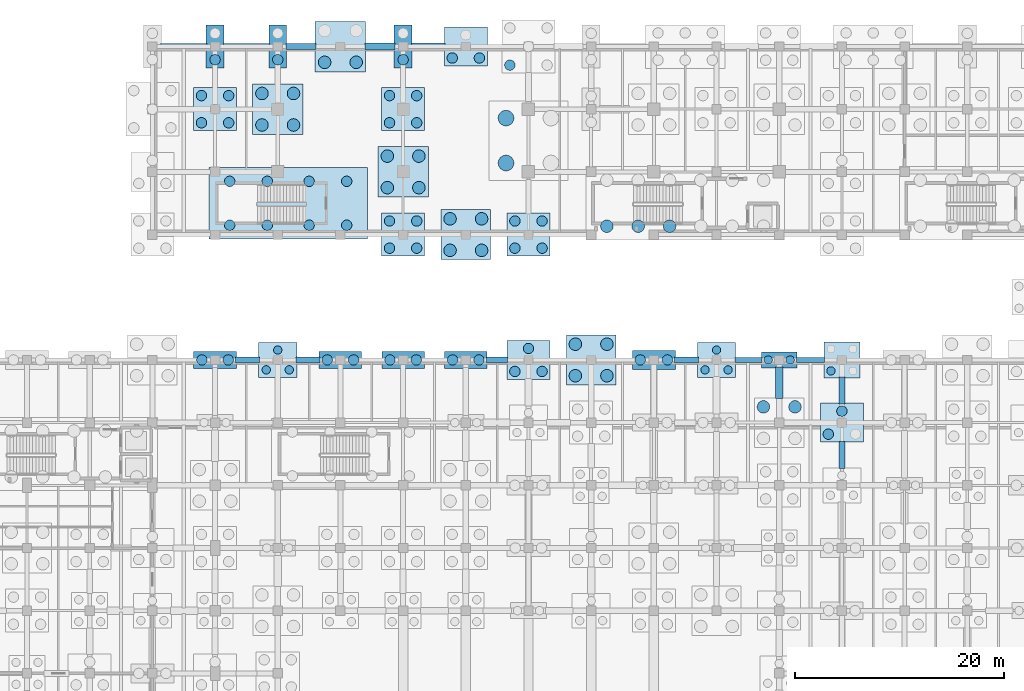
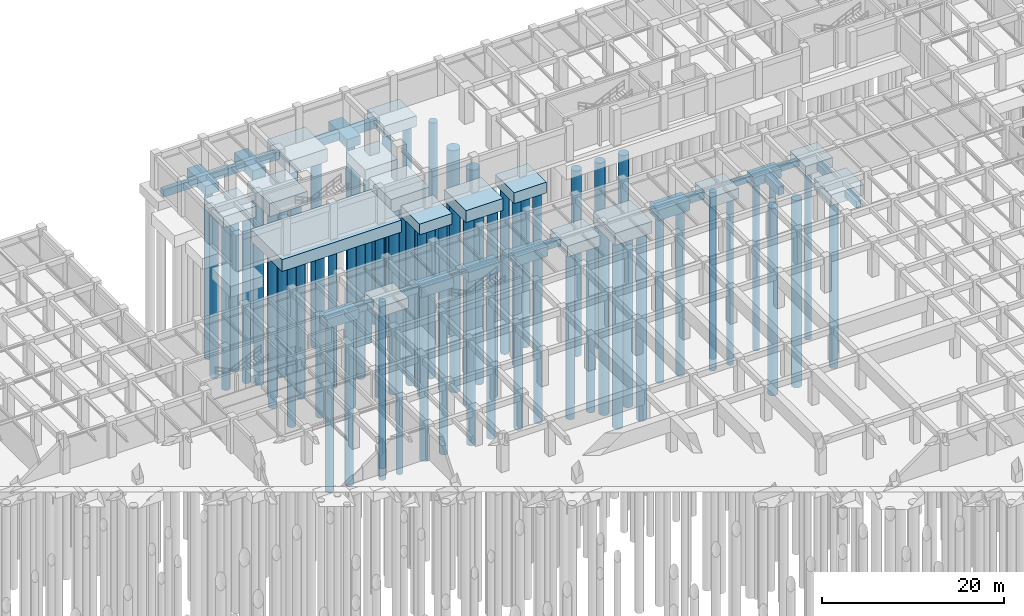
# One storey, part 15 of 54: 79 piles, 39 footings.
"""IFC4 building model written with IfcOpenShell, lengths in metres."""

from ifc_helpers import new_model, si_unit, direction, frame, origin, origin_2d, place, context, subcontext, project, spatial, rectangle, circle, extrude, material, material_profile, profile_set, type_object, element, save


model = new_model("IFC4")

# Units and contexts
model_context = context("Model", 3, precision=1e-05, world=origin(), true_north=direction((0.0, 1.0)))
body_context = subcontext(model_context, "Body", "Model", "MODEL_VIEW")
ifc_project = project(units=[si_unit("LENGTHUNIT", "METRE"), si_unit("AREAUNIT", "SQUARE_METRE"), si_unit("VOLUMEUNIT", "CUBIC_METRE"), si_unit("PLANEANGLEUNIT", "RADIAN"), si_unit("MASSUNIT", "GRAM", prefix="KILO"), si_unit("THERMODYNAMICTEMPERATUREUNIT", "KELVIN"), si_unit("POWERUNIT", "WATT")], contexts=[model_context])

# Site, building, storey
site_placement = place(None, origin())
site = spatial("IfcSite", under=ifc_project, at=site_placement, CompositionType="ELEMENT")
building_placement = place(site_placement, origin())
building = spatial("IfcBuilding", under=site, at=building_placement, Name="Phaisarnlok Congress Hotel", CompositionType="ELEMENT")
storey_placement = place(building_placement, frame((0.0, 0.0, -4.800048828125)))
storey = spatial("IfcBuildingStorey", under=building, at=storey_placement, Name="B01", CompositionType="ELEMENT", Elevation=-4.800048828125)

# Footings
ifc_material_1 = material(Name="Concrete C40/50", Category="concrete")
footing_type_1 = type_object("IfcFootingType", Name="CAP-2P-A", PredefinedType="PILE_CAP", material=ifc_material_1)
footing_1_placement = place(storey_placement, frame((120.0, 96.0, -1.69970703125), z_axis=(0.0, 0.0, 1.0), x_axis=(1.0, 0.0, 0.0)))
element("IfcFooting", 1, at=footing_1_placement, inside=storey, type_object=footing_type_1, Name="Pile cap PC-01 at (120,96)", PredefinedType="PILE_CAP", context=body_context, shape_type="SweptSolid", body=[
    extrude(rectangle(XDim=3.43994140625, YDim=1.5400390625, at=origin_2d()), origin(), (0.0, 0.0, 1.0), 1.199951171875),
])
footing_type_2 = type_object("IfcFootingType", Name="CAP-2P-B", PredefinedType="PILE_CAP", material=ifc_material_1)
for number, where, z_axis, x_axis, name in (
    (2, (66.0, 96.0, -1.7998046875), (0.0, 0.0, 1.0), (1.0, 0.0, 0.0), "Pile cap PC-02 at (66,96)"),
    (3, (78.0, 96.0, -1.7998046875), (0.0, 0.0, 1.0), (1.0, 0.0, 0.0), "Pile cap PC-02 at (78,96)"),
    (4, (84.0, 96.0, -1.7998046875), (0.0, 0.0, 1.0), (1.0, 0.0, 0.0), "Pile cap PC-02 at (84,96)"),
    (5, (90.0, 96.0, -1.7998046875), (0.0, 0.0, 1.0), (1.0, 0.0, 0.0), "Pile cap PC-02 at (90,96)"),
):
    element("IfcFooting", number, at=place(storey_placement, frame(where, z_axis=z_axis, x_axis=x_axis)), inside=storey, type_object=footing_type_2, Name=name, PredefinedType="PILE_CAP", context=body_context, shape_type="SweptSolid", body=[
        extrude(rectangle(XDim=4.080078125, YDim=1.639892578125, at=origin_2d()), origin(), (0.0, 0.0, 1.0), 1.300048828125),
    ])
footing_type_3 = type_object("IfcFootingType", Name="CAP-2P-C", PredefinedType="PILE_CAP", material=ifc_material_1)
footing_2_placement = place(storey_placement, frame((108.0, 96.0, -1.89990234375), z_axis=(0.0, 0.0, 1.0), x_axis=(1.0, 0.0, 0.0)))
element("IfcFooting", 6, at=footing_2_placement, inside=storey, type_object=footing_type_3, Name="Pile cap PC-03 at (108,96)", PredefinedType="PILE_CAP", context=body_context, shape_type="SweptSolid", body=[
    extrude(rectangle(XDim=4.1201171875, YDim=1.840087890625, at=origin_2d()), origin(), (0.0, 0.0, 1.0), 1.39990234375),
])
footing_type_4 = type_object("IfcFootingType", Name="CAP-2P-D", PredefinedType="PILE_CAP", material=ifc_material_1)
for number, where, z_axis, x_axis, name in (
    (7, (66.0, 126.0, -1.75), (0.0, 0.0, 1.0), (1.0, 0.0, 0.0), "Pile cap PC-14 at (66,126)"),
    (8, (72.0, 126.0, -1.75), (0.0, 0.0, 1.0), (1.0, 0.0, 0.0), "Pile cap PC-14 at (72,126)"),
    (9, (84.0, 126.0, -1.75), (0.0, 0.0, 1.0), (1.0, 0.0, 0.0), "Pile cap PC-14 at (84,126)"),
):
    element("IfcFooting", number, at=place(storey_placement, frame(where, z_axis=z_axis, x_axis=x_axis)), inside=storey, type_object=footing_type_4, Name=name, PredefinedType="PILE_CAP", context=body_context, shape_type="SweptSolid", body=[
        extrude(rectangle(XDim=1.719970703125, YDim=4.080078125, at=origin_2d()), origin(), (0.0, 0.0, 1.0), 1.25),
    ])
footing_type_5 = type_object("IfcFootingType", Name="CAP-3P-A", PredefinedType="PILE_CAP", material=ifc_material_1)
for number, where, z_axis, x_axis, name in (
    (10, (72.0, 96.0, -1.85009765625), (0.0, 0.0, 1.0), (1.0, 0.0, 0.0), "Pile cap PC-04 at (72,96)"),
    (11, (114.0, 96.0, -1.85009765625), (0.0, 0.0, 1.0), (1.0, 0.0, 0.0), "Pile cap PC-04 at (114,96)"),
):
    element("IfcFooting", number, at=place(storey_placement, frame(where, z_axis=z_axis, x_axis=x_axis)), inside=storey, type_object=footing_type_5, Name=name, PredefinedType="PILE_CAP", context=body_context, shape_type="SweptSolid", body=[
        extrude(rectangle(XDim=3.639892578125, YDim=3.340087890625, at=origin_2d()), origin(), (0.0, 0.0, 1.0), 1.35009765625),
    ])
footing_type_6 = type_object("IfcFootingType", Name="CAP-3P-B", PredefinedType="PILE_CAP", material=ifc_material_1)
for number, where, z_axis, x_axis, name in (
    (12, (90.0, 126.0, -1.94970703125), (0.0, 0.0, 1.0), (1.0, 0.0, 0.0), "Pile cap PC-05 at (90,126)"),
    (13, (96.0, 96.0, -1.94970703125), (0.0, 0.0, 1.0), (1.0, 0.0, 0.0), "Pile cap PC-05 at (96,96)"),
    (14, (126.0, 90.0, -1.94970703125), (0.0, 0.0, 1.0), (1.0, 0.0, 0.0), "Pile cap PC-05 at (126,90)"),
):
    element("IfcFooting", number, at=place(storey_placement, frame(where, z_axis=z_axis, x_axis=x_axis)), inside=storey, type_object=footing_type_6, Name=name, PredefinedType="PILE_CAP", context=body_context, shape_type="SweptSolid", body=[
        extrude(rectangle(XDim=4.1201171875, YDim=3.739990234375, at=origin_2d()), origin(), (0.0, 0.0, 1.0), 1.449951171875),
    ])
footing_type_7 = type_object("IfcFootingType", Name="CAP-4P-A", PredefinedType="PILE_CAP", material=ifc_material_1)
footing_3_placement = place(storey_placement, frame((126.0, 96.0, -1.7998046875), z_axis=(0.0, 0.0, 1.0), x_axis=(1.0, 0.0, 0.0)))
element("IfcFooting", 15, at=footing_3_placement, inside=storey, type_object=footing_type_7, Name="Pile cap PC-06 at (126,96)", PredefinedType="PILE_CAP", context=body_context, shape_type="SweptSolid", body=[
    extrude(rectangle(XDim=3.43994140625, YDim=3.43994140625, at=origin_2d()), origin(), (0.0, 0.0, 1.0), 1.300048828125),
])
footing_type_8 = type_object("IfcFootingType", Name="CAP-4P-B", PredefinedType="PILE_CAP", material=ifc_material_1)
for number, where, z_axis, x_axis, name in (
    (16, (66.0, 120.0, -1.94970703125), (0.0, 0.0, 1.0), (1.0, 0.0, 0.0), "Pile cap PC-07 at (66,120)"),
    (17, (84.0, 108.0, -1.94970703125), (0.0, 0.0, 1.0), (1.0, 0.0, 0.0), "Pile cap PC-07 at (84,108)"),
    (18, (84.0, 120.0, -1.94970703125), (0.0, 0.0, 1.0), (1.0, 0.0, 0.0), "Pile cap PC-07 at (84,120)"),
    (19, (96.0, 108.0, -1.94970703125), (0.0, 0.0, 1.0), (1.0, 0.0, 0.0), "Pile cap PC-07 at (96,108)"),
):
    element("IfcFooting", number, at=place(storey_placement, frame(where, z_axis=z_axis, x_axis=x_axis)), inside=storey, type_object=footing_type_8, Name=name, PredefinedType="PILE_CAP", context=body_context, shape_type="SweptSolid", body=[
        extrude(rectangle(XDim=4.1201171875, YDim=4.1201171875, at=origin_2d()), origin(), (0.0, 0.0, 1.0), 1.449951171875),
    ])
footing_type_9 = type_object("IfcFootingType", Name="CAP-4P-C", PredefinedType="PILE_CAP", material=ifc_material_1)
for number, where, z_axis, x_axis, name in (
    (20, (90.0, 108.0, -2.10009765625), (0.0, 0.0, 1.0), (1.0, 0.0, 0.0), "Pile cap PC-08 at (90,108)"),
    (21, (102.0, 96.0, -2.10009765625), (0.0, 0.0, 1.0), (1.0, 0.0, 0.0), "Pile cap PC-08 at (102,96)"),
):
    element("IfcFooting", number, at=place(storey_placement, frame(where, z_axis=z_axis, x_axis=x_axis)), inside=storey, type_object=footing_type_9, Name=name, PredefinedType="PILE_CAP", context=body_context, shape_type="SweptSolid", body=[
        extrude(rectangle(XDim=4.719970703125, YDim=4.760009765625, at=origin_2d()), origin(), (0.0, 0.0, 1.0), 1.60009765625),
    ])
footing_type_10 = type_object("IfcFootingType", Name="CAP-4P-D", PredefinedType="PILE_CAP", material=ifc_material_1)
for number, where, z_axis, x_axis, name in (
    (22, (72.0, 120.0, -2.25), (0.0, 0.0, 1.0), (1.0, 0.0, 0.0), "Pile cap PC-09 at (72,120)"),
    (23, (78.0, 126.0, -2.25), (0.0, 0.0, 1.0), (1.0, 0.0, 0.0), "Pile cap PC-09 at (78,126)"),
    (24, (84.0, 114.0, -2.25), (0.0, 0.0, 1.0), (1.0, 0.0, 0.0), "Pile cap PC-09 at (84,114)"),
):
    element("IfcFooting", number, at=place(storey_placement, frame(where, z_axis=z_axis, x_axis=x_axis)), inside=storey, type_object=footing_type_10, Name=name, PredefinedType="PILE_CAP", context=body_context, shape_type="SweptSolid", body=[
        extrude(rectangle(XDim=4.840087890625, YDim=4.840087890625, at=origin_2d()), origin(), (0.0, 0.0, 1.0), 1.75),
    ])
footing_type_11 = type_object("IfcFootingType", Name="CAP-STAIR-H", PredefinedType="PILE_CAP", material=ifc_material_1)
footing_4_placement = place(storey_placement, frame((73.0, 111.0, -2.10009765625), z_axis=(0.0, 0.0, 1.0), x_axis=(1.0, 0.0, 0.0)))
element("IfcFooting", 25, at=footing_4_placement, inside=storey, type_object=footing_type_11, Name="Stair core pile cap PC-17 (STAIR-HW)", PredefinedType="PILE_CAP", context=body_context, shape_type="SweptSolid", body=[
    extrude(rectangle(XDim=15.199951171875, YDim=6.800048828125, at=origin_2d()), origin(), (0.0, 0.0, 1.0), 1.60009765625),
])
ifc_material_profile_1 = material_profile(ifc_material_1, rectangle(XDim=0.5, YDim=0.800048828125, at=origin_2d()), Name="FB-500x800")
ifc_profile_set_1 = profile_set([ifc_material_profile_1], Name="Concrete C40/50")
footing_type_12 = type_object("IfcFootingType", Name="FB-500x800", PredefinedType="FOOTING_BEAM", material=ifc_profile_set_1)
footing_5_placement = place(storey_placement, frame((115.7451171875, 96.0, -0.89990234375), z_axis=(1.0, 0.0, 0.0), x_axis=(0.0, 1.0, 0.0)))
element("IfcFooting", 26, at=footing_5_placement, inside=storey, type_object=footing_type_12, Name="Ground tie beam FB-01", PredefinedType="FOOTING_BEAM", context=body_context, shape_type="SweptSolid", body=[
    extrude(rectangle(XDim=0.5, YDim=0.800048828125, at=origin_2d()), origin(), (0.0, 0.0, 1.0), 2.60986328125),
])
footing_6_placement = place(storey_placement, frame((121.64501953125, 96.0, -0.89990234375), z_axis=(1.0, 0.0, 0.0), x_axis=(0.0, 1.0, 0.0)))
element("IfcFooting", 27, at=footing_6_placement, inside=storey, type_object=footing_type_12, Name="Ground tie beam FB-01", PredefinedType="FOOTING_BEAM", context=body_context, shape_type="SweptSolid", body=[
    extrude(rectangle(XDim=0.5, YDim=0.800048828125, at=origin_2d()), origin(), (0.0, 0.0, 1.0), 2.7099609375),
])
ifc_material_profile_2 = material_profile(ifc_material_1, rectangle(XDim=0.60009765625, YDim=1.0, at=origin_2d()), Name="FB-600x1000")
ifc_profile_set_2 = profile_set([ifc_material_profile_2], Name="Concrete C40/50")
footing_type_13 = type_object("IfcFootingType", Name="FB-600x1000", PredefinedType="FOOTING_BEAM", material=ifc_profile_set_2)
for number, where, z_axis, x_axis, name in (
    (28, (60.784912109375, 126.0, -1.0), (1.0, 0.0, 0.0), (0.0, 1.0, 0.0), "Ground tie beam FB-03"),
    (29, (66.784912109375, 126.0, -1.0), (1.0, 0.0, 0.0), (0.0, 1.0, 0.0), "Ground tie beam FB-03"),
):
    element("IfcFooting", number, at=place(storey_placement, frame(where, z_axis=z_axis, x_axis=x_axis)), inside=storey, type_object=footing_type_13, Name=name, PredefinedType="FOOTING_BEAM", context=body_context, shape_type="SweptSolid", body=[
        extrude(rectangle(XDim=0.60009765625, YDim=1.0, at=origin_2d()), origin(), (0.0, 0.0, 1.0), 4.43017578125),
    ])
footing_7_placement = place(storey_placement, frame((72.784912109375, 126.0, -1.0), z_axis=(1.0, 0.0, 0.0), x_axis=(0.0, 1.0, 0.0)))
element("IfcFooting", 30, at=footing_7_placement, inside=storey, type_object=footing_type_13, Name="Ground tie beam FB-03", PredefinedType="FOOTING_BEAM", context=body_context, shape_type="SweptSolid", body=[
    extrude(rectangle(XDim=0.60009765625, YDim=1.0, at=origin_2d()), origin(), (0.0, 0.0, 1.0), 2.8701171875),
])
footing_8_placement = place(storey_placement, frame((109.985107421875, 96.0, -1.0), z_axis=(1.0, 0.0, 0.0), x_axis=(0.0, 1.0, 0.0)))
element("IfcFooting", 31, at=footing_8_placement, inside=storey, type_object=footing_type_13, Name="Ground tie beam FB-03", PredefinedType="FOOTING_BEAM", context=body_context, shape_type="SweptSolid", body=[
    extrude(rectangle(XDim=0.60009765625, YDim=1.0, at=origin_2d()), origin(), (0.0, 0.0, 1.0), 2.269775390625),
])
footing_9_placement = place(storey_placement, frame((126.0, 91.794921875, -1.0), z_axis=(0.0, 1.0, 0.0), x_axis=(-1.0, 0.0, 0.0)))
element("IfcFooting", 32, at=footing_9_placement, inside=storey, type_object=footing_type_13, Name="Ground tie beam FB-03", PredefinedType="FOOTING_BEAM", context=body_context, shape_type="SweptSolid", body=[
    extrude(rectangle(XDim=0.60009765625, YDim=1.0, at=origin_2d()), origin(), (0.0, 0.0, 1.0), 2.56005859375),
])
ifc_material_profile_3 = material_profile(ifc_material_1, rectangle(XDim=0.60009765625, YDim=0.89990234375, at=origin_2d()), Name="FB-600x900")
ifc_profile_set_3 = profile_set([ifc_material_profile_3], Name="Concrete C40/50")
footing_type_14 = type_object("IfcFootingType", Name="FB-600x900", PredefinedType="FOOTING_BEAM", material=ifc_profile_set_3)
for number, where, z_axis, x_axis, name in (
    (33, (67.965087890625, 96.0, -0.949951171875), (1.0, 0.0, 0.0), (0.0, 1.0, 0.0), "Ground tie beam FB-02"),
    (34, (73.7451171875, 96.0, -0.949951171875), (1.0, 0.0, 0.0), (0.0, 1.0, 0.0), "Ground tie beam FB-02"),
):
    element("IfcFooting", number, at=place(storey_placement, frame(where, z_axis=z_axis, x_axis=x_axis)), inside=storey, type_object=footing_type_14, Name=name, PredefinedType="FOOTING_BEAM", context=body_context, shape_type="SweptSolid", body=[
        extrude(rectangle(XDim=0.60009765625, YDim=0.89990234375, at=origin_2d()), origin(), (0.0, 0.0, 1.0), 2.289794921875),
    ])
footing_10_placement = place(storey_placement, frame((91.965087890625, 96.0, -0.949951171875), z_axis=(1.0, 0.0, 0.0), x_axis=(0.0, 1.0, 0.0)))
element("IfcFooting", 35, at=footing_10_placement, inside=storey, type_object=footing_type_14, Name="Ground tie beam FB-02", PredefinedType="FOOTING_BEAM", context=body_context, shape_type="SweptSolid", body=[
    extrude(rectangle(XDim=0.60009765625, YDim=0.89990234375, at=origin_2d()), origin(), (0.0, 0.0, 1.0), 2.0498046875),
])
footing_11_placement = place(storey_placement, frame((126.0, 85.594970703125, -0.949951171875), z_axis=(0.0, 1.0, 0.0), x_axis=(-1.0, 0.0, 0.0)))
element("IfcFooting", 36, at=footing_11_placement, inside=storey, type_object=footing_type_14, Name="Ground tie beam FB-02", PredefinedType="FOOTING_BEAM", context=body_context, shape_type="SweptSolid", body=[
    extrude(rectangle(XDim=0.60009765625, YDim=0.89990234375, at=origin_2d()), origin(), (0.0, 0.0, 1.0), 2.610107421875),
])
ifc_material_profile_4 = material_profile(ifc_material_1, rectangle(XDim=0.699951171875, YDim=1.10009765625, at=origin_2d()), Name="FB-700x1100")
ifc_profile_set_4 = profile_set([ifc_material_profile_4], Name="Concrete C40/50")
footing_type_15 = type_object("IfcFootingType", Name="FB-700x1100", PredefinedType="FOOTING_BEAM", material=ifc_profile_set_4)
footing_12_placement = place(storey_placement, frame((80.344970703125, 126.0, -1.050048828125), z_axis=(1.0, 0.0, 0.0), x_axis=(0.0, 1.0, 0.0)))
element("IfcFooting", 37, at=footing_12_placement, inside=storey, type_object=footing_type_15, Name="Ground tie beam FB-04", PredefinedType="FOOTING_BEAM", context=body_context, shape_type="SweptSolid", body=[
    extrude(rectangle(XDim=0.699951171875, YDim=1.10009765625, at=origin_2d()), origin(), (0.0, 0.0, 1.0), 2.8701171875),
])
footing_13_placement = place(storey_placement, frame((84.784912109375, 126.0, -1.050048828125), z_axis=(1.0, 0.0, 0.0), x_axis=(0.0, 1.0, 0.0)))
element("IfcFooting", 38, at=footing_13_placement, inside=storey, type_object=footing_type_15, Name="Ground tie beam FB-04", PredefinedType="FOOTING_BEAM", context=body_context, shape_type="SweptSolid", body=[
    extrude(rectangle(XDim=0.699951171875, YDim=1.10009765625, at=origin_2d()), origin(), (0.0, 0.0, 1.0), 3.22998046875),
])
footing_14_placement = place(storey_placement, frame((120.0, 92.304931640625, -1.050048828125), z_axis=(0.0, 1.0, 0.0), x_axis=(-1.0, 0.0, 0.0)))
element("IfcFooting", 39, at=footing_14_placement, inside=storey, type_object=footing_type_15, Name="Ground tie beam FB-04", PredefinedType="FOOTING_BEAM", context=body_context, shape_type="SweptSolid", body=[
    extrude(rectangle(XDim=0.699951171875, YDim=1.10009765625, at=origin_2d()), origin(), (0.0, 0.0, 1.0), 3.0),
])

# Piles
ifc_material_2 = material(Name="Concrete C35/45", Category="concrete")
ifc_material_profile_5 = material_profile(ifc_material_2, circle(Radius=0.5, at=origin_2d()), Name="BORED PILE D1000")
ifc_profile_set_5 = profile_set([ifc_material_profile_5], Name="Concrete C35/45")
pile_type_1 = type_object("IfcPileType", Name="PILE-D1000", PredefinedType="BORED", material=ifc_profile_set_5)
for number, where, z_axis, x_axis, name in (
    (40, (67.39990234375, 108.89990234375, -2.0), (0.0, 0.0, -1.0), (1.0, 0.0, 0.0), "Bored pile PL-02 (STAIR-HW-01)"),
    (41, (67.39990234375, 113.10009765625, -2.0), (0.0, 0.0, -1.0), (1.0, 0.0, 0.0), "Bored pile PL-02 (STAIR-HW-02)"),
    (42, (71.0, 108.89990234375, -2.0), (0.0, 0.0, -1.0), (1.0, 0.0, 0.0), "Bored pile PL-02 (STAIR-HW-03)"),
    (43, (71.0, 113.10009765625, -2.0), (0.0, 0.0, -1.0), (1.0, 0.0, 0.0), "Bored pile PL-02 (STAIR-HW-04)"),
    (44, (75.0, 108.89990234375, -2.0), (0.0, 0.0, -1.0), (1.0, 0.0, 0.0), "Bored pile PL-02 (STAIR-HW-05)"),
    (45, (75.0, 113.10009765625, -2.0), (0.0, 0.0, -1.0), (1.0, 0.0, 0.0), "Bored pile PL-02 (STAIR-HW-06)"),
    (46, (78.60009765625, 108.89990234375, -2.0), (0.0, 0.0, -1.0), (1.0, 0.0, 0.0), "Bored pile PL-02 (STAIR-HW-07)"),
    (47, (78.60009765625, 113.10009765625, -2.0), (0.0, 0.0, -1.0), (1.0, 0.0, 0.0), "Bored pile PL-02 (STAIR-HW-08)"),
):
    element("IfcPile", number, at=place(storey_placement, frame(where, z_axis=z_axis, x_axis=x_axis)), inside=storey, type_object=pile_type_1, Name=name, PredefinedType="BORED", context=body_context, shape_type="SweptSolid", body=[
        extrude(circle(Radius=0.5, at=origin_2d()), origin(), (0.0, 0.0, 1.0), 22.199951171875),
    ])
for number, where, z_axis, x_axis, name in (
    (48, (64.739990234375, 96.0, -1.699951171875), (0.0, 0.0, -1.0), (1.0, 0.0, 0.0), "Bored pile PL-02 (FTG-B01-066-096-1)"),
    (49, (67.260009765625, 96.0, -1.699951171875), (0.0, 0.0, -1.0), (1.0, 0.0, 0.0), "Bored pile PL-02 (FTG-B01-066-096-2)"),
):
    element("IfcPile", number, at=place(storey_placement, frame(where, z_axis=z_axis, x_axis=x_axis)), inside=storey, type_object=pile_type_1, Name=name, PredefinedType="BORED", context=body_context, shape_type="SweptSolid", body=[
        extrude(circle(Radius=0.5, at=origin_2d()), origin(), (0.0, 0.0, 1.0), 22.5),
    ])
for number, where, z_axis, x_axis, name in (
    (50, (64.699951171875, 118.699951171875, -1.849853515625), (0.0, 0.0, -1.0), (1.0, 0.0, 0.0), "Bored pile PL-02 (FTG-B01-066-120-1)"),
    (51, (67.300048828125, 118.699951171875, -1.849853515625), (0.0, 0.0, -1.0), (1.0, 0.0, 0.0), "Bored pile PL-02 (FTG-B01-066-120-2)"),
    (52, (64.699951171875, 121.300048828125, -1.849853515625), (0.0, 0.0, -1.0), (1.0, 0.0, 0.0), "Bored pile PL-02 (FTG-B01-066-120-3)"),
    (53, (67.300048828125, 121.300048828125, -1.849853515625), (0.0, 0.0, -1.0), (1.0, 0.0, 0.0), "Bored pile PL-02 (FTG-B01-066-120-4)"),
):
    element("IfcPile", number, at=place(storey_placement, frame(where, z_axis=z_axis, x_axis=x_axis)), inside=storey, type_object=pile_type_1, Name=name, PredefinedType="BORED", context=body_context, shape_type="SweptSolid", body=[
        extrude(circle(Radius=0.5, at=origin_2d()), origin(), (0.0, 0.0, 1.0), 22.35009765625),
    ])
for number, where, z_axis, x_axis, name in (
    (54, (66.0, 124.739990234375, -1.64990234375), (0.0, 0.0, -1.0), (1.0, 0.0, 0.0), "Bored pile PL-02 (FTG-B01-066-126-1)"),
    (55, (72.0, 124.739990234375, -1.64990234375), (0.0, 0.0, -1.0), (1.0, 0.0, 0.0), "Bored pile PL-02 (FTG-B01-072-126-1)"),
):
    element("IfcPile", number, at=place(storey_placement, frame(where, z_axis=z_axis, x_axis=x_axis)), inside=storey, type_object=pile_type_1, Name=name, PredefinedType="BORED", context=body_context, shape_type="SweptSolid", body=[
        extrude(circle(Radius=0.5, at=origin_2d()), origin(), (0.0, 0.0, 1.0), 22.550048828125),
    ])
for number, where, z_axis, x_axis, name in (
    (56, (76.739990234375, 96.0, -1.699951171875), (0.0, 0.0, -1.0), (1.0, 0.0, 0.0), "Bored pile PL-02 (FTG-B01-078-096-1)"),
    (57, (79.260009765625, 96.0, -1.699951171875), (0.0, 0.0, -1.0), (1.0, 0.0, 0.0), "Bored pile PL-02 (FTG-B01-078-096-2)"),
    (58, (82.739990234375, 96.0, -1.699951171875), (0.0, 0.0, -1.0), (1.0, 0.0, 0.0), "Bored pile PL-02 (FTG-B01-084-096-1)"),
    (59, (85.260009765625, 96.0, -1.699951171875), (0.0, 0.0, -1.0), (1.0, 0.0, 0.0), "Bored pile PL-02 (FTG-B01-084-096-2)"),
):
    element("IfcPile", number, at=place(storey_placement, frame(where, z_axis=z_axis, x_axis=x_axis)), inside=storey, type_object=pile_type_1, Name=name, PredefinedType="BORED", context=body_context, shape_type="SweptSolid", body=[
        extrude(circle(Radius=0.5, at=origin_2d()), origin(), (0.0, 0.0, 1.0), 22.5),
    ])
for number, where, z_axis, x_axis, name in (
    (60, (82.699951171875, 106.699951171875, -1.849853515625), (0.0, 0.0, -1.0), (1.0, 0.0, 0.0), "Bored pile PL-02 (FTG-B01-084-108-1)"),
    (61, (85.300048828125, 106.699951171875, -1.849853515625), (0.0, 0.0, -1.0), (1.0, 0.0, 0.0), "Bored pile PL-02 (FTG-B01-084-108-2)"),
    (62, (82.699951171875, 109.300048828125, -1.849853515625), (0.0, 0.0, -1.0), (1.0, 0.0, 0.0), "Bored pile PL-02 (FTG-B01-084-108-3)"),
    (63, (85.300048828125, 109.300048828125, -1.849853515625), (0.0, 0.0, -1.0), (1.0, 0.0, 0.0), "Bored pile PL-02 (FTG-B01-084-108-4)"),
    (64, (82.699951171875, 118.699951171875, -1.849853515625), (0.0, 0.0, -1.0), (1.0, 0.0, 0.0), "Bored pile PL-02 (FTG-B01-084-120-1)"),
    (65, (85.300048828125, 118.699951171875, -1.849853515625), (0.0, 0.0, -1.0), (1.0, 0.0, 0.0), "Bored pile PL-02 (FTG-B01-084-120-2)"),
    (66, (82.699951171875, 121.300048828125, -1.849853515625), (0.0, 0.0, -1.0), (1.0, 0.0, 0.0), "Bored pile PL-02 (FTG-B01-084-120-3)"),
    (67, (85.300048828125, 121.300048828125, -1.849853515625), (0.0, 0.0, -1.0), (1.0, 0.0, 0.0), "Bored pile PL-02 (FTG-B01-084-120-4)"),
):
    element("IfcPile", number, at=place(storey_placement, frame(where, z_axis=z_axis, x_axis=x_axis)), inside=storey, type_object=pile_type_1, Name=name, PredefinedType="BORED", context=body_context, shape_type="SweptSolid", body=[
        extrude(circle(Radius=0.5, at=origin_2d()), origin(), (0.0, 0.0, 1.0), 22.35009765625),
    ])
pile_1_placement = place(storey_placement, frame((84.0, 124.739990234375, -1.64990234375), z_axis=(0.0, 0.0, -1.0), x_axis=(1.0, 0.0, 0.0)))
element("IfcPile", 68, at=pile_1_placement, inside=storey, type_object=pile_type_1, Name="Bored pile PL-02 (FTG-B01-084-126-1)", PredefinedType="BORED", context=body_context, shape_type="SweptSolid", body=[
    extrude(circle(Radius=0.5, at=origin_2d()), origin(), (0.0, 0.0, 1.0), 22.550048828125),
])
for number, where, z_axis, x_axis, name in (
    (69, (88.739990234375, 96.0, -1.699951171875), (0.0, 0.0, -1.0), (1.0, 0.0, 0.0), "Bored pile PL-02 (FTG-B01-090-096-1)"),
    (70, (91.260009765625, 96.0, -1.699951171875), (0.0, 0.0, -1.0), (1.0, 0.0, 0.0), "Bored pile PL-02 (FTG-B01-090-096-2)"),
):
    element("IfcPile", number, at=place(storey_placement, frame(where, z_axis=z_axis, x_axis=x_axis)), inside=storey, type_object=pile_type_1, Name=name, PredefinedType="BORED", context=body_context, shape_type="SweptSolid", body=[
        extrude(circle(Radius=0.5, at=origin_2d()), origin(), (0.0, 0.0, 1.0), 22.5),
    ])
for number, where, z_axis, x_axis, name in (
    (71, (88.699951171875, 124.89990234375, -1.849853515625), (0.0, 0.0, -1.0), (1.0, 0.0, 0.0), "Bored pile PL-02 (FTG-B01-090-126-1)"),
    (72, (91.300048828125, 124.89990234375, -1.849853515625), (0.0, 0.0, -1.0), (1.0, 0.0, 0.0), "Bored pile PL-02 (FTG-B01-090-126-2)"),
    (73, (94.699951171875, 94.89990234375, -1.849853515625), (0.0, 0.0, -1.0), (1.0, 0.0, 0.0), "Bored pile PL-02 (FTG-B01-096-096-1)"),
    (74, (97.300048828125, 94.89990234375, -1.849853515625), (0.0, 0.0, -1.0), (1.0, 0.0, 0.0), "Bored pile PL-02 (FTG-B01-096-096-2)"),
    (75, (96.0, 97.10009765625, -1.849853515625), (0.0, 0.0, -1.0), (1.0, 0.0, 0.0), "Bored pile PL-02 (FTG-B01-096-096-3)"),
    (76, (94.699951171875, 106.699951171875, -1.849853515625), (0.0, 0.0, -1.0), (1.0, 0.0, 0.0), "Bored pile PL-02 (FTG-B01-096-108-1)"),
    (77, (97.300048828125, 106.699951171875, -1.849853515625), (0.0, 0.0, -1.0), (1.0, 0.0, 0.0), "Bored pile PL-02 (FTG-B01-096-108-2)"),
    (78, (94.699951171875, 109.300048828125, -1.849853515625), (0.0, 0.0, -1.0), (1.0, 0.0, 0.0), "Bored pile PL-02 (FTG-B01-096-108-3)"),
    (79, (97.300048828125, 109.300048828125, -1.849853515625), (0.0, 0.0, -1.0), (1.0, 0.0, 0.0), "Bored pile PL-02 (FTG-B01-096-108-4)"),
):
    element("IfcPile", number, at=place(storey_placement, frame(where, z_axis=z_axis, x_axis=x_axis)), inside=storey, type_object=pile_type_1, Name=name, PredefinedType="BORED", context=body_context, shape_type="SweptSolid", body=[
        extrude(circle(Radius=0.5, at=origin_2d()), origin(), (0.0, 0.0, 1.0), 22.35009765625),
    ])
pile_2_placement = place(storey_placement, frame((94.219970703125, 124.219970703125, -1.949951171875), z_axis=(0.0, 0.0, -1.0), x_axis=(1.0, 0.0, 0.0)))
element("IfcPile", 80, at=pile_2_placement, inside=storey, type_object=pile_type_1, Name="Bored pile PL-02 (FTG-B01-096-126-1)", PredefinedType="BORED", context=body_context, shape_type="SweptSolid", body=[
    extrude(circle(Radius=0.5, at=origin_2d()), origin(), (0.0, 0.0, 1.0), 22.25),
])
for number, where, z_axis, x_axis, name in (
    (81, (106.699951171875, 96.0, -1.800048828125), (0.0, 0.0, -1.0), (1.0, 0.0, 0.0), "Bored pile PL-02 (FTG-B01-108-096-1)"),
    (82, (109.300048828125, 96.0, -1.800048828125), (0.0, 0.0, -1.0), (1.0, 0.0, 0.0), "Bored pile PL-02 (FTG-B01-108-096-2)"),
):
    element("IfcPile", number, at=place(storey_placement, frame(where, z_axis=z_axis, x_axis=x_axis)), inside=storey, type_object=pile_type_1, Name=name, PredefinedType="BORED", context=body_context, shape_type="SweptSolid", body=[
        extrude(circle(Radius=0.5, at=origin_2d()), origin(), (0.0, 0.0, 1.0), 22.39990234375),
    ])
for number, where, z_axis, x_axis, name in (
    (83, (124.699951171875, 88.89990234375, -1.849853515625), (0.0, 0.0, -1.0), (1.0, 0.0, 0.0), "Bored pile PL-02 (FTG-B01-126-090-1)"),
    (84, (126.0, 91.10009765625, -1.849853515625), (0.0, 0.0, -1.0), (1.0, 0.0, 0.0), "Bored pile PL-02 (FTG-B01-126-090-3)"),
):
    element("IfcPile", number, at=place(storey_placement, frame(where, z_axis=z_axis, x_axis=x_axis)), inside=storey, type_object=pile_type_1, Name=name, PredefinedType="BORED", context=body_context, shape_type="SweptSolid", body=[
        extrude(circle(Radius=0.5, at=origin_2d()), origin(), (0.0, 0.0, 1.0), 22.35009765625),
    ])
ifc_material_profile_6 = material_profile(ifc_material_2, circle(Radius=0.60009765625, at=origin_2d()), Name="BORED PILE D1200")
ifc_profile_set_6 = profile_set([ifc_material_profile_6], Name="Concrete C35/45")
pile_type_2 = type_object("IfcPileType", Name="PILE-D1200", PredefinedType="BORED", material=ifc_profile_set_6)
for number, where, z_axis, x_axis, name in (
    (85, (103.5, 108.800048828125, -2.25), (0.0, 0.0, -1.0), (1.0, 0.0, 0.0), "Bored pile PL-03 (CORE-4-01)"),
    (86, (106.5, 108.800048828125, -2.25), (0.0, 0.0, -1.0), (1.0, 0.0, 0.0), "Bored pile PL-03 (CORE-4-03)"),
    (87, (109.5, 108.800048828125, -2.25), (0.0, 0.0, -1.0), (1.0, 0.0, 0.0), "Bored pile PL-03 (CORE-4-05)"),
):
    element("IfcPile", number, at=place(storey_placement, frame(where, z_axis=z_axis, x_axis=x_axis)), inside=storey, type_object=pile_type_2, Name=name, PredefinedType="BORED", context=body_context, shape_type="SweptSolid", body=[
        extrude(circle(Radius=0.60009765625, at=origin_2d()), origin(), (0.0, 0.0, 1.0), 24.949951171875),
    ])
for number, where, z_axis, x_axis, name in (
    (88, (70.489990234375, 118.489990234375, -2.14990234375), (0.0, 0.0, -1.0), (1.0, 0.0, 0.0), "Bored pile PL-03 (FTG-B01-072-120-1)"),
    (89, (73.510009765625, 118.489990234375, -2.14990234375), (0.0, 0.0, -1.0), (1.0, 0.0, 0.0), "Bored pile PL-03 (FTG-B01-072-120-2)"),
    (90, (70.489990234375, 121.510009765625, -2.14990234375), (0.0, 0.0, -1.0), (1.0, 0.0, 0.0), "Bored pile PL-03 (FTG-B01-072-120-3)"),
    (91, (73.510009765625, 121.510009765625, -2.14990234375), (0.0, 0.0, -1.0), (1.0, 0.0, 0.0), "Bored pile PL-03 (FTG-B01-072-120-4)"),
    (92, (76.489990234375, 124.489990234375, -2.14990234375), (0.0, 0.0, -1.0), (1.0, 0.0, 0.0), "Bored pile PL-03 (FTG-B01-078-126-1)"),
    (93, (79.510009765625, 124.489990234375, -2.14990234375), (0.0, 0.0, -1.0), (1.0, 0.0, 0.0), "Bored pile PL-03 (FTG-B01-078-126-2)"),
    (94, (82.489990234375, 112.489990234375, -2.14990234375), (0.0, 0.0, -1.0), (1.0, 0.0, 0.0), "Bored pile PL-03 (FTG-B01-084-114-1)"),
    (95, (85.510009765625, 112.489990234375, -2.14990234375), (0.0, 0.0, -1.0), (1.0, 0.0, 0.0), "Bored pile PL-03 (FTG-B01-084-114-2)"),
    (96, (82.489990234375, 115.510009765625, -2.14990234375), (0.0, 0.0, -1.0), (1.0, 0.0, 0.0), "Bored pile PL-03 (FTG-B01-084-114-3)"),
    (97, (85.510009765625, 115.510009765625, -2.14990234375), (0.0, 0.0, -1.0), (1.0, 0.0, 0.0), "Bored pile PL-03 (FTG-B01-084-114-4)"),
):
    element("IfcPile", number, at=place(storey_placement, frame(where, z_axis=z_axis, x_axis=x_axis)), inside=storey, type_object=pile_type_2, Name=name, PredefinedType="BORED", context=body_context, shape_type="SweptSolid", body=[
        extrude(circle(Radius=0.60009765625, at=origin_2d()), origin(), (0.0, 0.0, 1.0), 25.050048828125),
    ])
for number, where, z_axis, x_axis, name in (
    (98, (88.489990234375, 106.489990234375, -2.0), (0.0, 0.0, -1.0), (1.0, 0.0, 0.0), "Bored pile PL-03 (FTG-B01-090-108-1)"),
    (99, (91.510009765625, 106.489990234375, -2.0), (0.0, 0.0, -1.0), (1.0, 0.0, 0.0), "Bored pile PL-03 (FTG-B01-090-108-2)"),
    (100, (88.489990234375, 109.510009765625, -2.0), (0.0, 0.0, -1.0), (1.0, 0.0, 0.0), "Bored pile PL-03 (FTG-B01-090-108-3)"),
    (101, (91.510009765625, 109.510009765625, -2.0), (0.0, 0.0, -1.0), (1.0, 0.0, 0.0), "Bored pile PL-03 (FTG-B01-090-108-4)"),
    (102, (100.489990234375, 94.489990234375, -2.0), (0.0, 0.0, -1.0), (1.0, 0.0, 0.0), "Bored pile PL-03 (FTG-B01-102-096-1)"),
    (103, (103.510009765625, 94.489990234375, -2.0), (0.0, 0.0, -1.0), (1.0, 0.0, 0.0), "Bored pile PL-03 (FTG-B01-102-096-2)"),
    (104, (100.489990234375, 97.510009765625, -2.0), (0.0, 0.0, -1.0), (1.0, 0.0, 0.0), "Bored pile PL-03 (FTG-B01-102-096-3)"),
    (105, (103.510009765625, 97.510009765625, -2.0), (0.0, 0.0, -1.0), (1.0, 0.0, 0.0), "Bored pile PL-03 (FTG-B01-102-096-4)"),
    (106, (118.489990234375, 91.510009765625, -2.0), (0.0, 0.0, -1.0), (1.0, 0.0, 0.0), "Bored pile PL-03 (FTG-B01-120-090-3)"),
    (107, (121.510009765625, 91.510009765625, -2.0), (0.0, 0.0, -1.0), (1.0, 0.0, 0.0), "Bored pile PL-03 (FTG-B01-120-090-4)"),
):
    element("IfcPile", number, at=place(storey_placement, frame(where, z_axis=z_axis, x_axis=x_axis)), inside=storey, type_object=pile_type_2, Name=name, PredefinedType="BORED", context=body_context, shape_type="SweptSolid", body=[
        extrude(circle(Radius=0.60009765625, at=origin_2d()), origin(), (0.0, 0.0, 1.0), 25.199951171875),
    ])
ifc_material_profile_7 = material_profile(ifc_material_2, circle(Radius=0.75, at=origin_2d()), Name="BORED PILE D1500")
ifc_profile_set_7 = profile_set([ifc_material_profile_7], Name="Concrete C35/45")
pile_type_3 = type_object("IfcPileType", Name="PILE-D1500", PredefinedType="BORED", material=ifc_profile_set_7)
for number, where, z_axis, x_axis, name in (
    (108, (93.85009765625, 114.85009765625, -2.300048828125), (0.0, 0.0, -1.0), (1.0, 0.0, 0.0), "Bored pile PL-04 (FTG-B01-096-114-1)"),
    (109, (93.85009765625, 119.14990234375, -2.300048828125), (0.0, 0.0, -1.0), (1.0, 0.0, 0.0), "Bored pile PL-04 (FTG-B01-096-114-3)"),
):
    element("IfcPile", number, at=place(storey_placement, frame(where, z_axis=z_axis, x_axis=x_axis)), inside=storey, type_object=pile_type_3, Name=name, PredefinedType="BORED", context=body_context, shape_type="SweptSolid", body=[
        extrude(circle(Radius=0.75, at=origin_2d()), origin(), (0.0, 0.0, 1.0), 24.89990234375),
    ])
ifc_material_profile_8 = material_profile(ifc_material_2, circle(Radius=0.39990234375, at=origin_2d()), Name="BORED PILE D800")
ifc_profile_set_8 = profile_set([ifc_material_profile_8], Name="Concrete C35/45")
pile_type_4 = type_object("IfcPileType", Name="PILE-D800", PredefinedType="BORED", material=ifc_profile_set_8)
for number, where, z_axis, x_axis, name in (
    (110, (70.89990234375, 95.050048828125, -1.75), (0.0, 0.0, -1.0), (1.0, 0.0, 0.0), "Bored pile PL-01 (FTG-B01-072-096-1)"),
    (111, (73.10009765625, 95.050048828125, -1.75), (0.0, 0.0, -1.0), (1.0, 0.0, 0.0), "Bored pile PL-01 (FTG-B01-072-096-2)"),
    (112, (72.0, 96.949951171875, -1.75), (0.0, 0.0, -1.0), (1.0, 0.0, 0.0), "Bored pile PL-01 (FTG-B01-072-096-3)"),
    (113, (112.89990234375, 95.050048828125, -1.75), (0.0, 0.0, -1.0), (1.0, 0.0, 0.0), "Bored pile PL-01 (FTG-B01-114-096-1)"),
    (114, (115.10009765625, 95.050048828125, -1.75), (0.0, 0.0, -1.0), (1.0, 0.0, 0.0), "Bored pile PL-01 (FTG-B01-114-096-2)"),
    (115, (114.0, 96.949951171875, -1.75), (0.0, 0.0, -1.0), (1.0, 0.0, 0.0), "Bored pile PL-01 (FTG-B01-114-096-3)"),
):
    element("IfcPile", number, at=place(storey_placement, frame(where, z_axis=z_axis, x_axis=x_axis)), inside=storey, type_object=pile_type_4, Name=name, PredefinedType="BORED", context=body_context, shape_type="SweptSolid", body=[
        extrude(circle(Radius=0.39990234375, at=origin_2d()), origin(), (0.0, 0.0, 1.0), 22.449951171875),
    ])
for number, where, z_axis, x_axis, name in (
    (116, (118.949951171875, 96.0, -1.599853515625), (0.0, 0.0, -1.0), (1.0, 0.0, 0.0), "Bored pile PL-01 (FTG-B01-120-096-1)"),
    (117, (121.050048828125, 96.0, -1.599853515625), (0.0, 0.0, -1.0), (1.0, 0.0, 0.0), "Bored pile PL-01 (FTG-B01-120-096-2)"),
):
    element("IfcPile", number, at=place(storey_placement, frame(where, z_axis=z_axis, x_axis=x_axis)), inside=storey, type_object=pile_type_4, Name=name, PredefinedType="BORED", context=body_context, shape_type="SweptSolid", body=[
        extrude(circle(Radius=0.39990234375, at=origin_2d()), origin(), (0.0, 0.0, 1.0), 22.60009765625),
    ])
pile_3_placement = place(storey_placement, frame((124.949951171875, 94.949951171875, -1.699951171875), z_axis=(0.0, 0.0, -1.0), x_axis=(1.0, 0.0, 0.0)))
element("IfcPile", 118, at=pile_3_placement, inside=storey, type_object=pile_type_4, Name="Bored pile PL-01 (FTG-B01-126-096-1)", PredefinedType="BORED", context=body_context, shape_type="SweptSolid", body=[
    extrude(circle(Radius=0.39990234375, at=origin_2d()), origin(), (0.0, 0.0, 1.0), 22.5),
])

save(model, "model.ifc")
